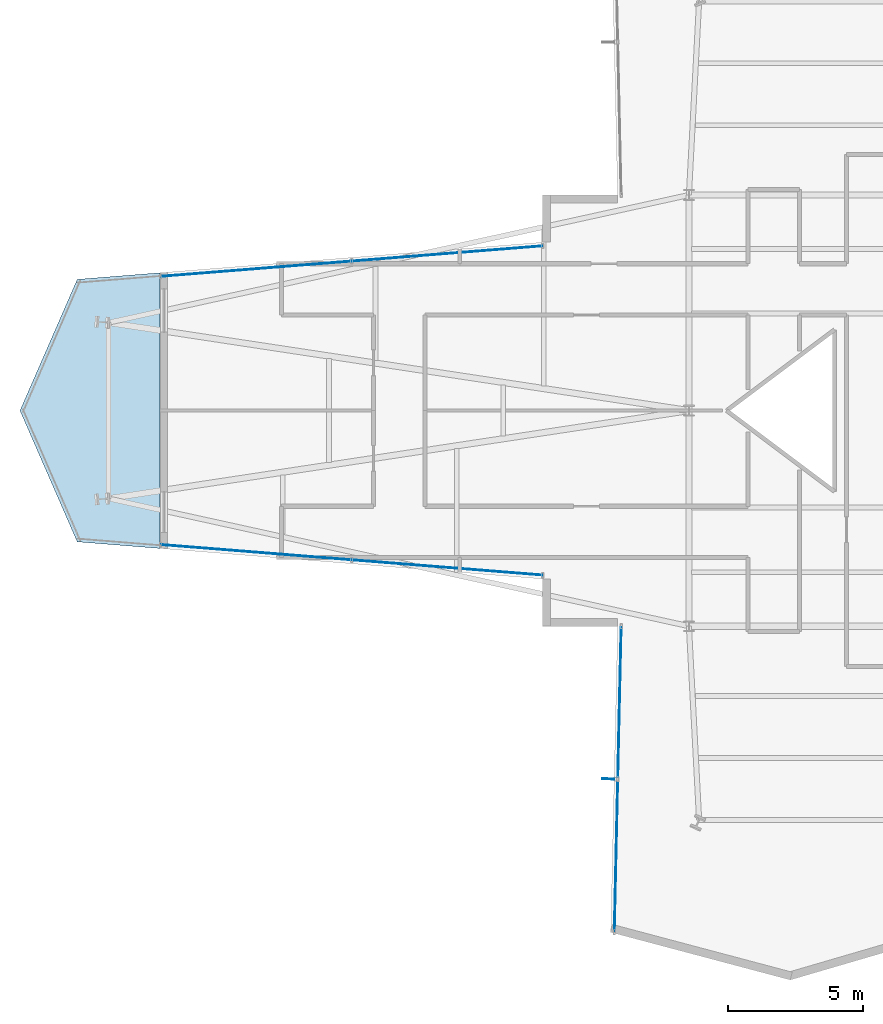
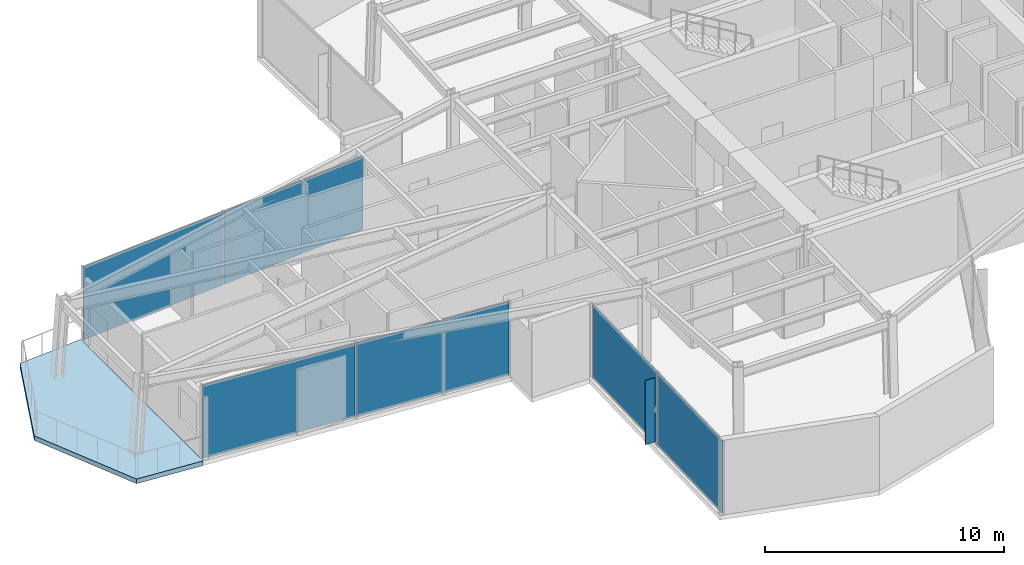
# One storey, part 19 of 26: 7 plates, 1 slab, 3 elements without a shape of their own.
"""IFC4 building model written with IfcOpenShell, lengths in metres."""

from ifc_helpers import new_model, si_unit, direction, frame, origin, origin_2d, place, context, subcontext, project, spatial, polyline, rectangle, outline, extrude, material, layer, layer_set, type_object, element, aggregate, save


model = new_model("IFC4")

# Units and contexts
model_context = context("Model", 3, precision=1e-05, world=origin(), true_north=direction((0.0, 1.0)))
body_context = subcontext(model_context, "Body", "Model", "MODEL_VIEW")
ifc_project = project(units=[si_unit("LENGTHUNIT", "METRE"), si_unit("AREAUNIT", "SQUARE_METRE"), si_unit("VOLUMEUNIT", "CUBIC_METRE"), si_unit("PLANEANGLEUNIT", "RADIAN"), si_unit("MASSUNIT", "GRAM", prefix="KILO")], contexts=[model_context])

# Site, building, storey
site_placement = place(None, origin())
site = spatial("IfcSite", under=ifc_project, at=site_placement, CompositionType="ELEMENT")
building_placement = place(site_placement, origin())
building = spatial("IfcBuilding", under=site, at=building_placement, Name="Veymaron Broadcast Tower", CompositionType="ELEMENT")
storey_placement = place(building_placement, frame((0.0, 0.0, 90.449951171875)))
storey = spatial("IfcBuildingStorey", under=building, at=storey_placement, Name="L20", CompositionType="ELEMENT", Elevation=90.449951171875)

# Curtain wall, plates
ifc_material_1 = material(Name="Anodised aluminium AA 6063-T6 and laminated low-E dark glass", Category="aluminium")
ifc_layer_1 = layer(ifc_material_1, 0.179931640625)
ifc_layer_set_1 = layer_set([ifc_layer_1], Name="Anodised aluminium AA 6063-T6 and laminated low-E dark glass")
curtain_wall_type = type_object("IfcCurtainWallType", Name="CW-SYS-02", PredefinedType="NOTDEFINED", material=ifc_layer_set_1)
curtain_wall_1_placement = place(storey_placement, origin())
curtain_wall_1 = element("IfcCurtainWall", 1, at=curtain_wall_1_placement, inside=storey, type_object=curtain_wall_type, Name="L20 dark-glass curtain wall CW-L20-E12-1", PredefinedType="NOTDEFINED")
ifc_material_2 = material(Name="Double-silver solar-control dark glass IGU 32 mm", Category="glass")
ifc_layer_2 = layer(ifc_material_2, 0.031982421875)
ifc_layer_set_2 = layer_set([ifc_layer_2], Name="Double-silver solar-control dark glass IGU 32 mm")
plate_type_1 = type_object("IfcPlateType", Name="CW-PNL-02", PredefinedType="CURTAIN_PANEL", material=ifc_layer_set_2)
plate_1_placement = place(storey_placement, frame((22.231201171875, 29.825927734375, 0.0400390625), z_axis=(0.0, 0.0, 1.0), x_axis=(-0.996829072167, -0.079572613899, 0.0)))
plate_1 = element("IfcPlate", 2, at=plate_1_placement, type_object=plate_type_1, Name="CW-L20-E12-1 unitised curtain panel 0", PredefinedType="CURTAIN_PANEL", context=body_context, shape_type="SweptSolid", body=[
    extrude(rectangle(XDim=7.05859375, YDim=0.031982421875, at=origin_2d()), origin(), (0.0, 0.0, 1.0), 3.72998046875),
])
plate_2_placement = place(storey_placement, frame((15.135009765625, 29.259521484375, 0.0400390625), z_axis=(0.0, 0.0, 1.0), x_axis=(-0.996829072167, -0.079572613899, 0.0)))
plate_2 = element("IfcPlate", 3, at=plate_2_placement, type_object=plate_type_1, Name="CW-L20-E12-1 unitised curtain panel 1", PredefinedType="CURTAIN_PANEL", context=body_context, shape_type="SweptSolid", body=[
    extrude(rectangle(XDim=7.05859375, YDim=0.031982421875, at=origin_2d()), origin(), (0.0, 0.0, 1.0), 3.72998046875),
])
aggregate(curtain_wall_1, [plate_1, plate_2])

curtain_wall_2_placement = place(storey_placement, origin())
curtain_wall_2 = element("IfcCurtainWall", 4, at=curtain_wall_2_placement, inside=storey, type_object=curtain_wall_type, Name="L20 dark-glass curtain wall CW-L20-E14-1", PredefinedType="NOTDEFINED")
plate_3_placement = place(storey_placement, frame((15.135009765625, 18.740478515625, 0.0400390625), z_axis=(0.0, 0.0, 1.0), x_axis=(0.996829072167, -0.079572613899, 0.0)))
plate_3 = element("IfcPlate", 5, at=plate_3_placement, type_object=plate_type_1, Name="CW-L20-E14-1 unitised curtain panel 0", PredefinedType="CURTAIN_PANEL", context=body_context, shape_type="SweptSolid", body=[
    extrude(rectangle(XDim=7.05859375, YDim=0.031982421875, at=origin_2d()), origin(), (0.0, 0.0, 1.0), 3.72998046875),
])
plate_4_placement = place(storey_placement, frame((22.231201171875, 18.174072265625, 0.0400390625), z_axis=(0.0, 0.0, 1.0), x_axis=(0.996829072167, -0.079572613899, 0.0)))
plate_4 = element("IfcPlate", 6, at=plate_4_placement, type_object=plate_type_1, Name="CW-L20-E14-1 unitised curtain panel 1", PredefinedType="CURTAIN_PANEL", context=body_context, shape_type="SweptSolid", body=[
    extrude(rectangle(XDim=7.05859375, YDim=0.031982421875, at=origin_2d()), origin(), (0.0, 0.0, 1.0), 3.72998046875),
])
aggregate(curtain_wall_2, [plate_3, plate_4])

curtain_wall_3_placement = place(storey_placement, origin())
curtain_wall_3 = element("IfcCurtainWall", 7, at=curtain_wall_3_placement, inside=storey, type_object=curtain_wall_type, Name="L20 dark-glass curtain wall CW-L20-E17-1", PredefinedType="NOTDEFINED")
plate_5_placement = place(storey_placement, frame((28.626708984375, 13.1591796875, 0.0400390625), z_axis=(0.0, 0.0, 1.0), x_axis=(-0.022355805128, -0.999750077758, 0.0)))
plate_5 = element("IfcPlate", 8, at=plate_5_placement, type_object=plate_type_1, Name="CW-L20-E17-1 unitised curtain panel 0", PredefinedType="CURTAIN_PANEL", context=body_context, shape_type="SweptSolid", body=[
    extrude(rectangle(XDim=5.616943359375, YDim=0.031982421875, at=origin_2d()), origin(), (0.0, 0.0, 1.0), 3.72998046875),
])
plate_6_placement = place(storey_placement, frame((28.499755859375, 7.483642578125, 0.0400390625), z_axis=(0.0, 0.0, 1.0), x_axis=(-0.022355805128, -0.999750077758, 0.0)))
plate_6 = element("IfcPlate", 9, at=plate_6_placement, type_object=plate_type_1, Name="CW-L20-E17-1 unitised curtain panel 1", PredefinedType="CURTAIN_PANEL", context=body_context, shape_type="SweptSolid", body=[
    extrude(rectangle(XDim=5.616943359375, YDim=0.031982421875, at=origin_2d()), origin(), (0.0, 0.0, 1.0), 3.72998046875),
])
aggregate(curtain_wall_3, [plate_5, plate_6])

# Plate
ifc_material_3 = material(Name="Dark-anodised aluminium AA 6061-T6", Category="aluminium")
ifc_layer_3 = layer(ifc_material_3, 0.034912109375)
ifc_layer_set_3 = layer_set([ifc_layer_3], Name="Dark-anodised aluminium AA 6061-T6")
plate_type_2 = type_object("IfcPlateType", Name="FIN-CHEV-01", PredefinedType="USERDEFINED", material=ifc_layer_set_3)
plate_7_placement = place(storey_placement, frame((28.208251953125, 10.329345703125, 0.2666015625), z_axis=(0.0, 0.0, 1.0), x_axis=(-0.999750077758, 0.022355805128, 0.0)))
element("IfcPlate", 10, at=plate_7_placement, inside=storey, type_object=plate_type_2, Name="CW-L20-E17-1 chevron fin 1", ObjectType="FIN", PredefinedType="USERDEFINED", context=body_context, shape_type="SweptSolid", body=[
    extrude(rectangle(XDim=0.449951171875, YDim=0.034912109375, at=origin_2d()), origin(), (0.0, 0.0, 1.0), 3.276611328125),
])

# Slab
ifc_material_4 = material(Name="Concrete C40/50", Category="concrete")
ifc_layer_4 = layer(ifc_material_4, 0.239990234375)
ifc_layer_set_4 = layer_set([ifc_layer_4], Name="Concrete C40/50")
slab_type = type_object("IfcSlabType", Name="SLAB-TERR-250", PredefinedType="FLOOR", material=ifc_layer_set_4)
slab_placement = place(storey_placement, frame((0.0, 0.0, -0.239990234375)))
element("IfcSlab", 11, at=slab_placement, inside=storey, type_object=slab_type, Name="L20 outdoor sky terrace slab", PredefinedType="FLOOR", context=body_context, shape_type="SweptSolid", body=[
    extrude(outline(polyline([(11.575927734375, 18.884033203125), (11.575927734375, 29.115966796875), (8.5, 28.870361328125), (6.3759765625, 24.0), (8.5, 19.129638671875), (11.575927734375, 18.884033203125)])), origin(), (0.0, 0.0, 1.0), 0.239990234375),
])

save(model, "model.ifc")
